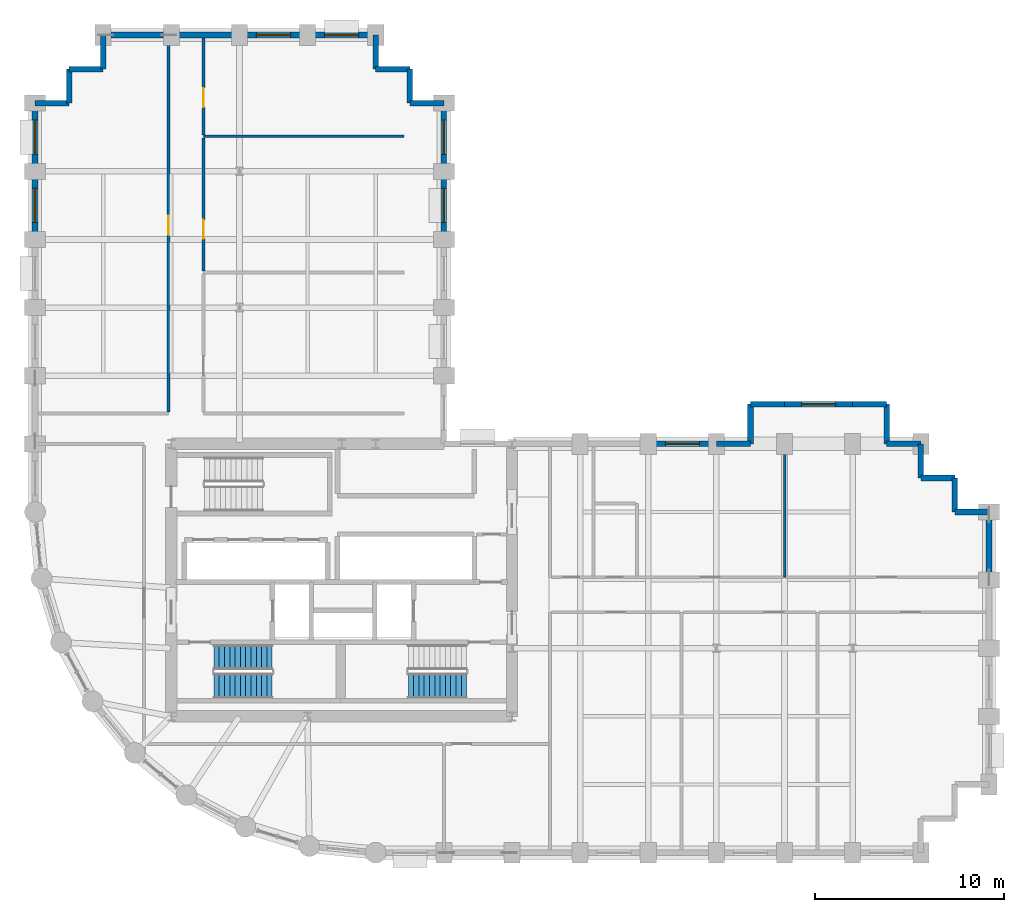
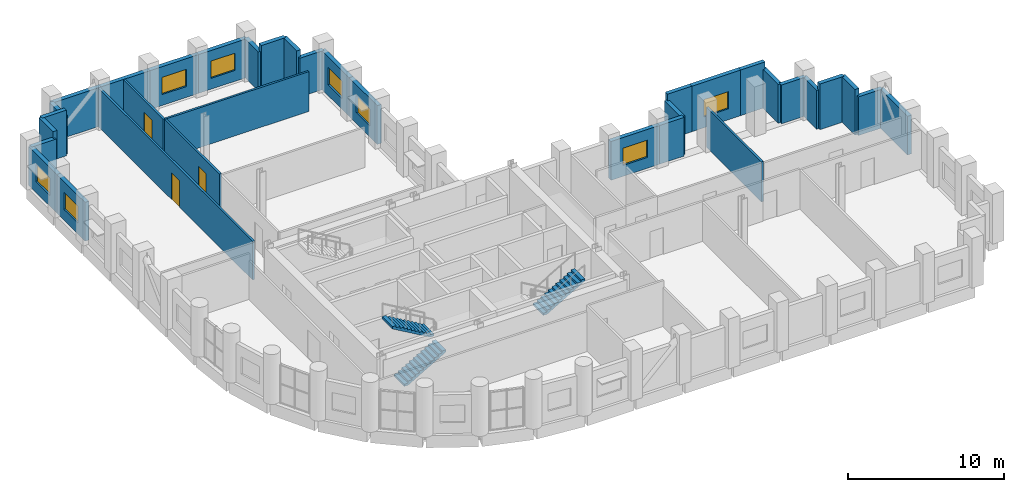
# One storey, part 10 of 13: 34 walls, 8 windows, 3 doors, 3 stair flights, 11 openings, 2 elements without a shape of their own.
"""IFC4 building model written with IfcOpenShell, lengths in metres."""

from ifc_helpers import new_model, si_unit, direction, frame, frame_2d, origin, place, context, subcontext, project, spatial, polyline, rectangle, outline, extrude, material, layer, layer_set, type_object, element, fill, aggregate, save


model = new_model("IFC4")

# Units and contexts
model_context = context("Model", 3, precision=1e-05, world=origin(), true_north=direction((0.0, 1.0)))
body_context = subcontext(model_context, "Body", "Model", "MODEL_VIEW")
ifc_project = project(units=[si_unit("LENGTHUNIT", "METRE"), si_unit("AREAUNIT", "SQUARE_METRE"), si_unit("VOLUMEUNIT", "CUBIC_METRE"), si_unit("PLANEANGLEUNIT", "RADIAN"), si_unit("MASSUNIT", "GRAM", prefix="KILO")], contexts=[model_context])

# Site, building, storey
site_placement = place(None, origin())
site = spatial("IfcSite", under=ifc_project, at=site_placement, CompositionType="ELEMENT")
building_placement = place(site_placement, origin())
building = spatial("IfcBuilding", under=site, at=building_placement, Name="Solnavia Interchange Tower", CompositionType="ELEMENT")
storey_placement = place(building_placement, frame((0.0, 0.0, 111.300048828125)))
storey = spatial("IfcBuildingStorey", under=building, at=storey_placement, Name="L27", CompositionType="ELEMENT", Elevation=111.300048828125)

# Walls
ifc_material_1 = material(Name="Concrete C40/50", Category="concrete")
ifc_layer_1 = layer(ifc_material_1, 0.300048828125)
ifc_layer_set_1 = layer_set([ifc_layer_1], Name="Concrete C40/50")
wall_type_1 = type_object("IfcWallType", Name="Wall-ExtSpandrel-300", PredefinedType="STANDARD", material=ifc_layer_set_1)
wall_1_placement = place(storey_placement, frame((57.60009765625, 21.60009765625, 0.0), z_axis=(0.0, 0.0, 1.0), x_axis=(0.0, -1.0, 0.0)))
element("IfcWall", 1, at=wall_1_placement, inside=storey, type_object=wall_type_1, Name="EXW-L27-16 Exterior precast spandrel wall", PredefinedType="STANDARD", context=body_context, shape_type="SweptSolid", body=[
    extrude(rectangle(XDim=3.60009765625, YDim=0.300048828125, at=frame_2d((1.800048828125, 0.0))), origin(), (0.0, 0.0, 1.0), 3.030029296875),
])
wall_2_placement = place(storey_placement, frame((55.800048828125, 21.60009765625, 0.0), z_axis=(0.0, 0.0, 1.0), x_axis=(1.0, 0.0, 0.0)))
element("IfcWall", 2, at=wall_2_placement, inside=storey, type_object=wall_type_1, Name="EXW-L27-17 Exterior precast spandrel wall", PredefinedType="STANDARD", context=body_context, shape_type="SweptSolid", body=[
    extrude(rectangle(XDim=1.800048828125, YDim=0.300048828125, at=frame_2d((0.89990234375, 0.0))), origin(), (0.0, 0.0, 1.0), 3.030029296875),
])
wall_3_placement = place(storey_placement, frame((55.800048828125, 23.39990234375, 0.0), z_axis=(0.0, 0.0, 1.0), x_axis=(0.0, -1.0, 0.0)))
element("IfcWall", 3, at=wall_3_placement, inside=storey, type_object=wall_type_1, Name="EXW-L27-18 Exterior precast spandrel wall", PredefinedType="STANDARD", context=body_context, shape_type="SweptSolid", body=[
    extrude(rectangle(XDim=1.7998046875, YDim=0.300048828125, at=frame_2d((0.89990234375, 0.0))), origin(), (0.0, 0.0, 1.0), 3.56494140625),
])
wall_4_placement = place(storey_placement, frame((54.0, 23.39990234375, 0.0), z_axis=(0.0, 0.0, 1.0), x_axis=(1.0, 0.0, 0.0)))
element("IfcWall", 4, at=wall_4_placement, inside=storey, type_object=wall_type_1, Name="EXW-L27-19 Exterior precast spandrel wall", PredefinedType="STANDARD", context=body_context, shape_type="SweptSolid", body=[
    extrude(rectangle(XDim=1.800048828125, YDim=0.300048828125, at=frame_2d((0.89990234375, 0.0))), origin(), (0.0, 0.0, 1.0), 3.56494140625),
])
for number, where, z_axis, x_axis, name in (
    (5, (54.0, 25.199951171875, 0.0), (0.0, 0.0, 1.0), (0.0, -1.0, 0.0), "EXW-L27-20 Exterior precast spandrel wall"),
    (6, (52.199951171875, 25.199951171875, 0.0), (0.0, 0.0, 1.0), (1.0, 0.0, 0.0), "EXW-L27-21 Exterior precast spandrel wall"),
):
    element("IfcWall", number, at=place(storey_placement, frame(where, z_axis=z_axis, x_axis=x_axis)), inside=storey, type_object=wall_type_1, Name=name, PredefinedType="STANDARD", context=body_context, shape_type="SweptSolid", body=[
        extrude(rectangle(XDim=1.800048828125, YDim=0.300048828125, at=frame_2d((0.89990234375, 0.0))), origin(), (0.0, 0.0, 1.0), 3.030029296875),
    ])
wall_5_placement = place(storey_placement, frame((52.199951171875, 27.300048828125, 0.0), z_axis=(0.0, 0.0, 1.0), x_axis=(0.0, -1.0, 0.0)))
element("IfcWall", 7, at=wall_5_placement, inside=storey, type_object=wall_type_1, Name="EXW-L27-22 Exterior precast spandrel wall", PredefinedType="STANDARD", context=body_context, shape_type="SweptSolid", body=[
    extrude(rectangle(XDim=2.10009765625, YDim=0.300048828125, at=frame_2d((1.050048828125, 0.0))), origin(), (0.0, 0.0, 1.0), 3.030029296875),
])
wall_6_placement = place(storey_placement, frame((50.39990234375, 27.300048828125, 0.0), z_axis=(0.0, 0.0, 1.0), x_axis=(1.0, 0.0, 0.0)))
element("IfcWall", 8, at=wall_6_placement, inside=storey, type_object=wall_type_1, Name="EXW-L27-23 Exterior precast spandrel wall", PredefinedType="STANDARD", context=body_context, shape_type="SweptSolid", body=[
    extrude(rectangle(XDim=1.800048828125, YDim=0.300048828125, at=frame_2d((0.89990234375, 0.0))), origin(), (0.0, 0.0, 1.0), 3.56494140625),
])

# Wall, opening, window
wall_7_placement = place(storey_placement, frame((46.800048828125, 27.300048828125, 0.0), z_axis=(0.0, 0.0, 1.0), x_axis=(1.0, 0.0, 0.0)))
wall_7 = element("IfcWall", 9, at=wall_7_placement, inside=storey, type_object=wall_type_1, Name="EXW-L27-24 Exterior precast spandrel wall", PredefinedType="STANDARD", context=body_context, shape_type="SweptSolid", body=[
    extrude(rectangle(XDim=3.599853515625, YDim=0.300048828125, at=frame_2d((1.7998046875, 0.0))), origin(), (0.0, 0.0, 1.0), 3.56494140625),
])
opening_1_placement = place(wall_7_placement, frame((0.89990234375, 0.0, 0.85009765625)))
opening_1 = element("IfcOpeningElement", 10, at=opening_1_placement, cuts=wall_7, Name="Opening WIN-02", PredefinedType="OPENING", context=body_context, shape_type="SweptSolid", body=[
    extrude(rectangle(XDim=1.800048828125, YDim=1.35009765625, at=frame_2d((0.89990234375, 0.675048828125))), frame((0.0, 0.16015625, 0.0), z_axis=(0.0, -1.0, 0.0), x_axis=(1.0, 0.0, 0.0)), (0.0, 0.0, 1.0), 0.320068359375),
])
ifc_material_2 = material(Name="Thermal-Break Aluminium & Low-E Glass", Category="aluminium")
window_type = type_object("IfcWindowType", Name="Window-Ribbon-1800x1350", PartitioningType="SINGLE_PANEL", PredefinedType="WINDOW", material=ifc_material_2)
window_1_placement = place(opening_1_placement, origin())
window_1 = element("IfcWindow", 11, at=window_1_placement, inside=storey, type_object=window_type, Name="WIN-L27-24 Facade ribbon window", OverallHeight=1.35009765625, OverallWidth=1.800048828125, PartitioningType="SINGLE_PANEL", PredefinedType="WINDOW", context=body_context, shape_type="SweptSolid", body=[
    extrude(rectangle(XDim=1.800048828125, YDim=1.35009765625, at=frame_2d((0.89990234375, 0.675048828125))), frame((0.0, 0.030029296875, 0.0), z_axis=(0.0, -1.0, 0.0), x_axis=(1.0, 0.0, 0.0)), (0.0, 0.0, 1.0), 0.06005859375),
])
fill(opening_1, window_1)

# Walls
wall_8_placement = place(storey_placement, frame((45.0, 27.300048828125, 0.0), z_axis=(0.0, 0.0, 1.0), x_axis=(1.0, 0.0, 0.0)))
element("IfcWall", 12, at=wall_8_placement, inside=storey, type_object=wall_type_1, Name="EXW-L27-25 Exterior precast spandrel wall", PredefinedType="STANDARD", context=body_context, shape_type="SweptSolid", body=[
    extrude(rectangle(XDim=1.800048828125, YDim=0.300048828125, at=frame_2d((0.89990234375, 0.0))), origin(), (0.0, 0.0, 1.0), 3.56494140625),
])
wall_9_placement = place(storey_placement, frame((45.0, 27.300048828125, 0.0), z_axis=(0.0, 0.0, 1.0), x_axis=(0.0, -1.0, 0.0)))
element("IfcWall", 13, at=wall_9_placement, inside=storey, type_object=wall_type_1, Name="EXW-L27-26 Exterior precast spandrel wall", PredefinedType="STANDARD", context=body_context, shape_type="SweptSolid", body=[
    extrude(rectangle(XDim=2.10009765625, YDim=0.300048828125, at=frame_2d((1.050048828125, 0.0))), origin(), (0.0, 0.0, 1.0), 3.030029296875),
])
wall_10_placement = place(storey_placement, frame((43.199951171875, 25.199951171875, 0.0), z_axis=(0.0, 0.0, 1.0), x_axis=(1.0, 0.0, 0.0)))
element("IfcWall", 14, at=wall_10_placement, inside=storey, type_object=wall_type_1, Name="EXW-L27-27 Exterior precast spandrel wall", PredefinedType="STANDARD", context=body_context, shape_type="SweptSolid", body=[
    extrude(rectangle(XDim=1.800048828125, YDim=0.300048828125, at=frame_2d((0.89990234375, 0.0))), origin(), (0.0, 0.0, 1.0), 3.030029296875),
])

# Wall, opening, window
wall_11_placement = place(storey_placement, frame((39.60009765625, 25.199951171875, 0.0), z_axis=(0.0, 0.0, 1.0), x_axis=(1.0, 0.0, 0.0)))
wall_11 = element("IfcWall", 15, at=wall_11_placement, inside=storey, type_object=wall_type_1, Name="EXW-L27-28 Exterior precast spandrel wall", PredefinedType="STANDARD", context=body_context, shape_type="SweptSolid", body=[
    extrude(rectangle(XDim=3.599853515625, YDim=0.300048828125, at=frame_2d((1.7998046875, 0.0))), origin(), (0.0, 0.0, 1.0), 3.030029296875),
])
opening_2_placement = place(wall_11_placement, frame((0.89990234375, 0.0, 0.85009765625)))
opening_2 = element("IfcOpeningElement", 16, at=opening_2_placement, cuts=wall_11, Name="Opening WIN-02", PredefinedType="OPENING", context=body_context, shape_type="SweptSolid", body=[
    extrude(rectangle(XDim=1.800048828125, YDim=1.35009765625, at=frame_2d((0.89990234375, 0.675048828125))), frame((0.0, 0.16015625, 0.0), z_axis=(0.0, -1.0, 0.0), x_axis=(1.0, 0.0, 0.0)), (0.0, 0.0, 1.0), 0.320068359375),
])
window_2_placement = place(opening_2_placement, origin())
window_2 = element("IfcWindow", 17, at=window_2_placement, inside=storey, type_object=window_type, Name="WIN-L27-28 Facade ribbon window", OverallHeight=1.35009765625, OverallWidth=1.800048828125, PartitioningType="SINGLE_PANEL", PredefinedType="WINDOW", context=body_context, shape_type="SweptSolid", body=[
    extrude(rectangle(XDim=1.800048828125, YDim=1.35009765625, at=frame_2d((0.89990234375, 0.675048828125))), frame((0.0, 0.030029296875, 0.0), z_axis=(0.0, -1.0, 0.0), x_axis=(1.0, 0.0, 0.0)), (0.0, 0.0, 1.0), 0.06005859375),
])
fill(opening_2, window_2)

wall_12_placement = place(storey_placement, frame((28.800048828125, 36.0, 0.0), z_axis=(0.0, 0.0, 1.0), x_axis=(0.0, 1.0, 0.0)))
wall_12 = element("IfcWall", 18, at=wall_12_placement, inside=storey, type_object=wall_type_1, Name="EXW-L27-35 Exterior precast spandrel wall", PredefinedType="STANDARD", context=body_context, shape_type="SweptSolid", body=[
    extrude(rectangle(XDim=3.60009765625, YDim=0.300048828125, at=frame_2d((1.800048828125, 0.0))), origin(), (0.0, 0.0, 1.0), 3.030029296875),
])
opening_3_placement = place(wall_12_placement, frame((0.89990234375, 0.0, 0.85009765625)))
opening_3 = element("IfcOpeningElement", 19, at=opening_3_placement, cuts=wall_12, Name="Opening WIN-02", PredefinedType="OPENING", context=body_context, shape_type="SweptSolid", body=[
    extrude(rectangle(XDim=1.800048828125, YDim=1.35009765625, at=frame_2d((0.89990234375, 0.675048828125))), frame((0.0, 0.16015625, 0.0), z_axis=(0.0, -1.0, 0.0), x_axis=(1.0, 0.0, 0.0)), (0.0, 0.0, 1.0), 0.320068359375),
])
window_3_placement = place(opening_3_placement, origin())
window_3 = element("IfcWindow", 20, at=window_3_placement, inside=storey, type_object=window_type, Name="WIN-L27-35 Facade ribbon window", OverallHeight=1.35009765625, OverallWidth=1.800048828125, PartitioningType="SINGLE_PANEL", PredefinedType="WINDOW", context=body_context, shape_type="SweptSolid", body=[
    extrude(rectangle(XDim=1.800048828125, YDim=1.35009765625, at=frame_2d((0.89990234375, 0.675048828125))), frame((0.0, 0.030029296875, 0.0), z_axis=(0.0, -1.0, 0.0), x_axis=(1.0, 0.0, 0.0)), (0.0, 0.0, 1.0), 0.06005859375),
])
fill(opening_3, window_3)

wall_13_placement = place(storey_placement, frame((28.800048828125, 39.60009765625, 0.0), z_axis=(0.0, 0.0, 1.0), x_axis=(0.0, 1.0, 0.0)))
wall_13 = element("IfcWall", 21, at=wall_13_placement, inside=storey, type_object=wall_type_1, Name="EXW-L27-36 Exterior precast spandrel wall", PredefinedType="STANDARD", context=body_context, shape_type="SweptSolid", body=[
    extrude(rectangle(XDim=3.599853515625, YDim=0.300048828125, at=frame_2d((1.7998046875, 0.0))), origin(), (0.0, 0.0, 1.0), 3.030029296875),
])
opening_4_placement = place(wall_13_placement, frame((0.89990234375, 0.0, 0.85009765625)))
opening_4 = element("IfcOpeningElement", 22, at=opening_4_placement, cuts=wall_13, Name="Opening WIN-02", PredefinedType="OPENING", context=body_context, shape_type="SweptSolid", body=[
    extrude(rectangle(XDim=1.800048828125, YDim=1.35009765625, at=frame_2d((0.89990234375, 0.675048828125))), frame((0.0, 0.16015625, 0.0), z_axis=(0.0, -1.0, 0.0), x_axis=(1.0, 0.0, 0.0)), (0.0, 0.0, 1.0), 0.320068359375),
])
window_4_placement = place(opening_4_placement, origin())
window_4 = element("IfcWindow", 23, at=window_4_placement, inside=storey, type_object=window_type, Name="WIN-L27-36 Facade ribbon window", OverallHeight=1.35009765625, OverallWidth=1.800048828125, PartitioningType="SINGLE_PANEL", PredefinedType="WINDOW", context=body_context, shape_type="SweptSolid", body=[
    extrude(rectangle(XDim=1.800048828125, YDim=1.35009765625, at=frame_2d((0.89990234375, 0.675048828125))), frame((0.0, 0.030029296875, 0.0), z_axis=(0.0, -1.0, 0.0), x_axis=(1.0, 0.0, 0.0)), (0.0, 0.0, 1.0), 0.06005859375),
])
fill(opening_4, window_4)

# Walls
wall_14_placement = place(storey_placement, frame((27.0, 43.199951171875, 0.0), z_axis=(0.0, 0.0, 1.0), x_axis=(1.0, 0.0, 0.0)))
element("IfcWall", 24, at=wall_14_placement, inside=storey, type_object=wall_type_1, Name="EXW-L27-37 Exterior precast spandrel wall", PredefinedType="STANDARD", context=body_context, shape_type="SweptSolid", body=[
    extrude(rectangle(XDim=1.800048828125, YDim=0.300048828125, at=frame_2d((0.89990234375, 0.0))), origin(), (0.0, 0.0, 1.0), 3.030029296875),
])
for number, where, z_axis, x_axis, name in (
    (25, (27.0, 43.199951171875, 0.0), (0.0, 0.0, 1.0), (0.0, 1.0, 0.0), "EXW-L27-38 Exterior precast spandrel wall"),
    (26, (25.199951171875, 45.0, 0.0), (0.0, 0.0, 1.0), (1.0, 0.0, 0.0), "EXW-L27-39 Exterior precast spandrel wall"),
):
    element("IfcWall", number, at=place(storey_placement, frame(where, z_axis=z_axis, x_axis=x_axis)), inside=storey, type_object=wall_type_1, Name=name, PredefinedType="STANDARD", context=body_context, shape_type="SweptSolid", body=[
        extrude(rectangle(XDim=1.800048828125, YDim=0.300048828125, at=frame_2d((0.89990234375, 0.0))), origin(), (0.0, 0.0, 1.0), 3.56494140625),
    ])
wall_15_placement = place(storey_placement, frame((25.199951171875, 45.0, 0.0), z_axis=(0.0, 0.0, 1.0), x_axis=(0.0, 1.0, 0.0)))
element("IfcWall", 27, at=wall_15_placement, inside=storey, type_object=wall_type_1, Name="EXW-L27-40 Exterior precast spandrel wall", PredefinedType="STANDARD", context=body_context, shape_type="SweptSolid", body=[
    extrude(rectangle(XDim=1.800048828125, YDim=0.300048828125, at=frame_2d((0.89990234375, 0.0))), origin(), (0.0, 0.0, 1.0), 3.030029296875),
])

# Wall, opening, window
wall_16_placement = place(storey_placement, frame((21.60009765625, 46.800048828125, 0.0), z_axis=(0.0, 0.0, 1.0), x_axis=(1.0, 0.0, 0.0)))
wall_16 = element("IfcWall", 28, at=wall_16_placement, inside=storey, type_object=wall_type_1, Name="EXW-L27-41 Exterior precast spandrel wall", PredefinedType="STANDARD", context=body_context, shape_type="SweptSolid", body=[
    extrude(rectangle(XDim=3.599853515625, YDim=0.300048828125, at=frame_2d((1.7998046875, 0.0))), origin(), (0.0, 0.0, 1.0), 3.030029296875),
])
opening_5_placement = place(wall_16_placement, frame((0.89990234375, 0.0, 0.85009765625)))
opening_5 = element("IfcOpeningElement", 29, at=opening_5_placement, cuts=wall_16, Name="Opening WIN-02", PredefinedType="OPENING", context=body_context, shape_type="SweptSolid", body=[
    extrude(rectangle(XDim=1.800048828125, YDim=1.35009765625, at=frame_2d((0.89990234375, 0.675048828125))), frame((0.0, 0.16015625, 0.0), z_axis=(0.0, -1.0, 0.0), x_axis=(1.0, 0.0, 0.0)), (0.0, 0.0, 1.0), 0.320068359375),
])
window_5_placement = place(opening_5_placement, origin())
window_5 = element("IfcWindow", 30, at=window_5_placement, inside=storey, type_object=window_type, Name="WIN-L27-41 Facade ribbon window", OverallHeight=1.35009765625, OverallWidth=1.800048828125, PartitioningType="SINGLE_PANEL", PredefinedType="WINDOW", context=body_context, shape_type="SweptSolid", body=[
    extrude(rectangle(XDim=1.800048828125, YDim=1.35009765625, at=frame_2d((0.89990234375, 0.675048828125))), frame((0.0, 0.030029296875, 0.0), z_axis=(0.0, -1.0, 0.0), x_axis=(1.0, 0.0, 0.0)), (0.0, 0.0, 1.0), 0.06005859375),
])
fill(opening_5, window_5)

wall_17_placement = place(storey_placement, frame((18.0, 46.800048828125, 0.0), z_axis=(0.0, 0.0, 1.0), x_axis=(1.0, 0.0, 0.0)))
wall_17 = element("IfcWall", 31, at=wall_17_placement, inside=storey, type_object=wall_type_1, Name="EXW-L27-42 Exterior precast spandrel wall", PredefinedType="STANDARD", context=body_context, shape_type="SweptSolid", body=[
    extrude(rectangle(XDim=3.60009765625, YDim=0.300048828125, at=frame_2d((1.800048828125, 0.0))), origin(), (0.0, 0.0, 1.0), 3.030029296875),
])
opening_6_placement = place(wall_17_placement, frame((0.89990234375, 0.0, 0.85009765625)))
opening_6 = element("IfcOpeningElement", 32, at=opening_6_placement, cuts=wall_17, Name="Opening WIN-02", PredefinedType="OPENING", context=body_context, shape_type="SweptSolid", body=[
    extrude(rectangle(XDim=1.800048828125, YDim=1.35009765625, at=frame_2d((0.89990234375, 0.675048828125))), frame((0.0, 0.16015625, 0.0), z_axis=(0.0, -1.0, 0.0), x_axis=(1.0, 0.0, 0.0)), (0.0, 0.0, 1.0), 0.320068359375),
])
window_6_placement = place(opening_6_placement, origin())
window_6 = element("IfcWindow", 33, at=window_6_placement, inside=storey, type_object=window_type, Name="WIN-L27-42 Facade ribbon window", OverallHeight=1.35009765625, OverallWidth=1.800048828125, PartitioningType="SINGLE_PANEL", PredefinedType="WINDOW", context=body_context, shape_type="SweptSolid", body=[
    extrude(rectangle(XDim=1.800048828125, YDim=1.35009765625, at=frame_2d((0.89990234375, 0.675048828125))), frame((0.0, 0.030029296875, 0.0), z_axis=(0.0, -1.0, 0.0), x_axis=(1.0, 0.0, 0.0)), (0.0, 0.0, 1.0), 0.06005859375),
])
fill(opening_6, window_6)

# Walls
wall_18_placement = place(storey_placement, frame((14.39990234375, 46.800048828125, 0.0), z_axis=(0.0, 0.0, 1.0), x_axis=(1.0, 0.0, 0.0)))
element("IfcWall", 34, at=wall_18_placement, inside=storey, type_object=wall_type_1, Name="EXW-L27-43 Exterior precast spandrel wall", PredefinedType="STANDARD", context=body_context, shape_type="SweptSolid", body=[
    extrude(rectangle(XDim=3.60009765625, YDim=0.300048828125, at=frame_2d((1.800048828125, 0.0))), origin(), (0.0, 0.0, 1.0), 3.030029296875),
])
wall_19_placement = place(storey_placement, frame((10.800048828125, 46.800048828125, 0.0), z_axis=(0.0, 0.0, 1.0), x_axis=(1.0, 0.0, 0.0)))
element("IfcWall", 35, at=wall_19_placement, inside=storey, type_object=wall_type_1, Name="EXW-L27-44 Exterior precast spandrel wall", PredefinedType="STANDARD", context=body_context, shape_type="SweptSolid", body=[
    extrude(rectangle(XDim=3.599853515625, YDim=0.300048828125, at=frame_2d((1.7998046875, 0.0))), origin(), (0.0, 0.0, 1.0), 3.030029296875),
])
wall_20_placement = place(storey_placement, frame((10.800048828125, 45.0, 0.0), z_axis=(0.0, 0.0, 1.0), x_axis=(0.0, 1.0, 0.0)))
element("IfcWall", 36, at=wall_20_placement, inside=storey, type_object=wall_type_1, Name="EXW-L27-45 Exterior precast spandrel wall", PredefinedType="STANDARD", context=body_context, shape_type="SweptSolid", body=[
    extrude(rectangle(XDim=1.800048828125, YDim=0.300048828125, at=frame_2d((0.89990234375, 0.0))), origin(), (0.0, 0.0, 1.0), 3.030029296875),
])
for number, where, z_axis, x_axis, name in (
    (37, (9.0, 45.0, 0.0), (0.0, 0.0, 1.0), (1.0, 0.0, 0.0), "EXW-L27-46 Exterior precast spandrel wall"),
    (38, (9.0, 43.199951171875, 0.0), (0.0, 0.0, 1.0), (0.0, 1.0, 0.0), "EXW-L27-47 Exterior precast spandrel wall"),
):
    element("IfcWall", number, at=place(storey_placement, frame(where, z_axis=z_axis, x_axis=x_axis)), inside=storey, type_object=wall_type_1, Name=name, PredefinedType="STANDARD", context=body_context, shape_type="SweptSolid", body=[
        extrude(rectangle(XDim=1.800048828125, YDim=0.300048828125, at=frame_2d((0.89990234375, 0.0))), origin(), (0.0, 0.0, 1.0), 3.56494140625),
    ])
wall_21_placement = place(storey_placement, frame((7.199951171875, 43.199951171875, 0.0), z_axis=(0.0, 0.0, 1.0), x_axis=(1.0, 0.0, 0.0)))
element("IfcWall", 39, at=wall_21_placement, inside=storey, type_object=wall_type_1, Name="EXW-L27-48 Exterior precast spandrel wall", PredefinedType="STANDARD", context=body_context, shape_type="SweptSolid", body=[
    extrude(rectangle(XDim=1.800048828125, YDim=0.300048828125, at=frame_2d((0.89990234375, 0.0))), origin(), (0.0, 0.0, 1.0), 3.030029296875),
])

# Wall, opening, window
wall_22_placement = place(storey_placement, frame((7.199951171875, 39.60009765625, 0.0), z_axis=(0.0, 0.0, 1.0), x_axis=(0.0, 1.0, 0.0)))
wall_22 = element("IfcWall", 40, at=wall_22_placement, inside=storey, type_object=wall_type_1, Name="EXW-L27-49 Exterior precast spandrel wall", PredefinedType="STANDARD", context=body_context, shape_type="SweptSolid", body=[
    extrude(rectangle(XDim=3.599853515625, YDim=0.300048828125, at=frame_2d((1.7998046875, 0.0))), origin(), (0.0, 0.0, 1.0), 3.030029296875),
])
opening_7_placement = place(wall_22_placement, frame((0.89990234375, 0.0, 0.85009765625)))
opening_7 = element("IfcOpeningElement", 41, at=opening_7_placement, cuts=wall_22, Name="Opening WIN-02", PredefinedType="OPENING", context=body_context, shape_type="SweptSolid", body=[
    extrude(rectangle(XDim=1.800048828125, YDim=1.35009765625, at=frame_2d((0.89990234375, 0.675048828125))), frame((0.0, 0.16015625, 0.0), z_axis=(0.0, -1.0, 0.0), x_axis=(1.0, 0.0, 0.0)), (0.0, 0.0, 1.0), 0.320068359375),
])
window_7_placement = place(opening_7_placement, origin())
window_7 = element("IfcWindow", 42, at=window_7_placement, inside=storey, type_object=window_type, Name="WIN-L27-49 Facade ribbon window", OverallHeight=1.35009765625, OverallWidth=1.800048828125, PartitioningType="SINGLE_PANEL", PredefinedType="WINDOW", context=body_context, shape_type="SweptSolid", body=[
    extrude(rectangle(XDim=1.800048828125, YDim=1.35009765625, at=frame_2d((0.89990234375, 0.675048828125))), frame((0.0, 0.030029296875, 0.0), z_axis=(0.0, -1.0, 0.0), x_axis=(1.0, 0.0, 0.0)), (0.0, 0.0, 1.0), 0.06005859375),
])
fill(opening_7, window_7)

wall_23_placement = place(storey_placement, frame((7.199951171875, 36.0, 0.0), z_axis=(0.0, 0.0, 1.0), x_axis=(0.0, 1.0, 0.0)))
wall_23 = element("IfcWall", 43, at=wall_23_placement, inside=storey, type_object=wall_type_1, Name="EXW-L27-50 Exterior precast spandrel wall", PredefinedType="STANDARD", context=body_context, shape_type="SweptSolid", body=[
    extrude(rectangle(XDim=3.60009765625, YDim=0.300048828125, at=frame_2d((1.800048828125, 0.0))), origin(), (0.0, 0.0, 1.0), 3.030029296875),
])
opening_8_placement = place(wall_23_placement, frame((0.89990234375, 0.0, 0.85009765625)))
opening_8 = element("IfcOpeningElement", 44, at=opening_8_placement, cuts=wall_23, Name="Opening WIN-02", PredefinedType="OPENING", context=body_context, shape_type="SweptSolid", body=[
    extrude(rectangle(XDim=1.800048828125, YDim=1.35009765625, at=frame_2d((0.89990234375, 0.675048828125))), frame((0.0, 0.16015625, 0.0), z_axis=(0.0, -1.0, 0.0), x_axis=(1.0, 0.0, 0.0)), (0.0, 0.0, 1.0), 0.320068359375),
])
window_8_placement = place(opening_8_placement, origin())
window_8 = element("IfcWindow", 45, at=window_8_placement, inside=storey, type_object=window_type, Name="WIN-L27-50 Facade ribbon window", OverallHeight=1.35009765625, OverallWidth=1.800048828125, PartitioningType="SINGLE_PANEL", PredefinedType="WINDOW", context=body_context, shape_type="SweptSolid", body=[
    extrude(rectangle(XDim=1.800048828125, YDim=1.35009765625, at=frame_2d((0.89990234375, 0.675048828125))), frame((0.0, 0.030029296875, 0.0), z_axis=(0.0, -1.0, 0.0), x_axis=(1.0, 0.0, 0.0)), (0.0, 0.0, 1.0), 0.06005859375),
])
fill(opening_8, window_8)

# Wall
ifc_material_3 = material(Name="Gypsum Plasterboard & Steel Stud", Category="steel")
ifc_layer_2 = layer(ifc_material_3, 0.14990234375)
ifc_layer_set_2 = layer_set([ifc_layer_2], Name="Gypsum Plasterboard & Steel Stud")
wall_type_2 = type_object("IfcWallType", Name="Wall-Partition-150", PredefinedType="PARTITIONING", material=ifc_layer_set_2)
wall_24_placement = place(storey_placement, frame((46.81005859375, 18.14990234375, 0.0), z_axis=(0.0, 0.0, 1.0), x_axis=(0.0, 1.0, 0.0)))
element("IfcWall", 46, at=wall_24_placement, inside=storey, type_object=wall_type_2, Name="PTW-L27-18 Interior partition wall", PredefinedType="PARTITIONING", context=body_context, shape_type="SweptSolid", body=[
    extrude(rectangle(XDim=7.050048828125, YDim=0.14990234375, at=frame_2d((3.52490234375, 0.0))), origin(), (0.0, 0.0, 1.0), 3.119873046875),
])

# Wall, opening, door
wall_25_placement = place(storey_placement, frame((14.25, 26.87890625, 0.0), z_axis=(0.0, 0.0, 1.0), x_axis=(0.0, 1.0, 0.0)))
wall_25 = element("IfcWall", 47, at=wall_25_placement, inside=storey, type_object=wall_type_2, Name="PTW-L27-22 Interior partition wall", PredefinedType="PARTITIONING", context=body_context, shape_type="SweptSolid", body=[
    extrude(rectangle(XDim=19.76708984375, YDim=0.14990234375, at=frame_2d((9.883544921875, 0.0))), origin(), (0.0, 0.0, 1.0), 3.030029296875),
])
opening_9_placement = place(wall_25_placement, frame((9.381103515625, 0.0, 0.0)))
opening_9 = element("IfcOpeningElement", 48, at=opening_9_placement, cuts=wall_25, Name="Opening DR-07", PredefinedType="OPENING", context=body_context, shape_type="SweptSolid", body=[
    extrude(rectangle(XDim=1.0, YDim=2.10009765625, at=frame_2d((0.5, 1.050048828125))), frame((0.0, 0.0849609375, 0.0), z_axis=(0.0, -1.0, 0.0), x_axis=(1.0, 0.0, 0.0)), (0.0, 0.0, 1.0), 0.169921875),
])
ifc_material_4 = material(Name="Timber & Acoustic Glazed Office Door", Category="wood")
door_type = type_object("IfcDoorType", Name="Door-Office-1000x2100", OperationType="SINGLE_SWING_RIGHT", PredefinedType="DOOR", material=ifc_material_4)
door_1_placement = place(opening_9_placement, origin())
door_1 = element("IfcDoor", 49, at=door_1_placement, inside=storey, type_object=door_type, Name="DR-L27-10 Interior room door", OperationType="SINGLE_SWING_RIGHT", OverallHeight=2.10009765625, OverallWidth=1.0, PredefinedType="DOOR", context=body_context, shape_type="SweptSolid", body=[
    extrude(rectangle(XDim=1.0, YDim=2.10009765625, at=frame_2d((0.5, 1.050048828125))), frame((0.0, 0.02490234375, 0.0), z_axis=(0.0, -1.0, 0.0), x_axis=(1.0, 0.0, 0.0)), (0.0, 0.0, 1.0), 0.050048828125),
])
fill(opening_9, door_1)

# Wall
wall_26_placement = place(storey_placement, frame((16.10009765625, 41.449951171875, 0.0), z_axis=(0.0, 0.0, 1.0), x_axis=(1.0, 0.0, 0.0)))
element("IfcWall", 50, at=wall_26_placement, inside=storey, type_object=wall_type_2, Name="PTW-L27-26 Interior partition wall", PredefinedType="PARTITIONING", context=body_context, shape_type="SweptSolid", body=[
    extrude(rectangle(XDim=10.599853515625, YDim=0.14990234375, at=frame_2d((5.2998046875, 0.0))), origin(), (0.0, 0.0, 1.0), 3.10986328125),
])

# Wall, opening, door
wall_27_placement = place(storey_placement, frame((16.10009765625, 34.3291015625, 0.0), z_axis=(0.0, 0.0, 1.0), x_axis=(0.0, 1.0, 0.0)))
wall_27 = element("IfcWall", 51, at=wall_27_placement, inside=storey, type_object=wall_type_2, Name="PTW-L27-27 Interior partition wall", PredefinedType="PARTITIONING", context=body_context, shape_type="SweptSolid", body=[
    extrude(rectangle(XDim=7.0419921875, YDim=0.14990234375, at=frame_2d((3.52099609375, 0.0))), origin(), (0.0, 0.0, 1.0), 3.119873046875),
])
opening_10_placement = place(wall_27_placement, frame((1.7109375, 0.0, 0.0)))
opening_10 = element("IfcOpeningElement", 52, at=opening_10_placement, cuts=wall_27, Name="Opening DR-07", PredefinedType="OPENING", context=body_context, shape_type="SweptSolid", body=[
    extrude(rectangle(XDim=1.0, YDim=2.10009765625, at=frame_2d((0.5, 1.050048828125))), frame((0.0, 0.0849609375, 0.0), z_axis=(0.0, -1.0, 0.0), x_axis=(1.0, 0.0, 0.0)), (0.0, 0.0, 1.0), 0.169921875),
])
door_2_placement = place(opening_10_placement, origin())
door_2 = element("IfcDoor", 53, at=door_2_placement, inside=storey, type_object=door_type, Name="DR-L27-12 Interior room door", OperationType="SINGLE_SWING_LEFT", OverallHeight=2.10009765625, OverallWidth=1.0, PredefinedType="DOOR", context=body_context, shape_type="SweptSolid", body=[
    extrude(rectangle(XDim=1.0, YDim=2.10009765625, at=frame_2d((0.5, 1.050048828125))), frame((0.0, 0.02490234375, 0.0), z_axis=(0.0, -1.0, 0.0), x_axis=(1.0, 0.0, 0.0)), (0.0, 0.0, 1.0), 0.050048828125),
])
fill(opening_10, door_2)

wall_28_placement = place(storey_placement, frame((16.10009765625, 41.529052734375, 0.0), z_axis=(0.0, 0.0, 1.0), x_axis=(0.0, 1.0, 0.0)))
wall_28 = element("IfcWall", 54, at=wall_28_placement, inside=storey, type_object=wall_type_2, Name="PTW-L27-28 Interior partition wall", PredefinedType="PARTITIONING", context=body_context, shape_type="SweptSolid", body=[
    extrude(rectangle(XDim=5.116943359375, YDim=0.14990234375, at=frame_2d((2.55859375, 0.0))), origin(), (0.0, 0.0, 1.0), 3.030029296875),
])
opening_11_placement = place(wall_28_placement, frame((1.465087890625, 0.0, 0.0)))
opening_11 = element("IfcOpeningElement", 55, at=opening_11_placement, cuts=wall_28, Name="Opening DR-07", PredefinedType="OPENING", context=body_context, shape_type="SweptSolid", body=[
    extrude(rectangle(XDim=1.0, YDim=2.10009765625, at=frame_2d((0.5, 1.050048828125))), frame((0.0, 0.0849609375, 0.0), z_axis=(0.0, -1.0, 0.0), x_axis=(1.0, 0.0, 0.0)), (0.0, 0.0, 1.0), 0.169921875),
])
door_3_placement = place(opening_11_placement, origin())
door_3 = element("IfcDoor", 56, at=door_3_placement, inside=storey, type_object=door_type, Name="DR-L27-13 Interior room door", OperationType="SINGLE_SWING_LEFT", OverallHeight=2.10009765625, OverallWidth=1.0, PredefinedType="DOOR", context=body_context, shape_type="SweptSolid", body=[
    extrude(rectangle(XDim=1.0, YDim=2.10009765625, at=frame_2d((0.5, 1.050048828125))), frame((0.0, 0.02490234375, 0.0), z_axis=(0.0, -1.0, 0.0), x_axis=(1.0, 0.0, 0.0)), (0.0, 0.0, 1.0), 0.050048828125),
])
fill(opening_11, door_3)

# Stair, stair flights
stair_type = type_object("IfcStairType", Name="Stair-Dogleg-RC", PredefinedType="HALF_TURN_STAIR", material=ifc_material_1)
stair_1_placement = place(storey_placement, origin())
stair_1 = element("IfcStair", 57, at=stair_1_placement, inside=storey, type_object=stair_type, Name="L27 Core exit stair 1", PredefinedType="HALF_TURN_STAIR")
stair_flight_type = type_object("IfcStairFlightType", Name="StairFlight-RC-150", PredefinedType="STRAIGHT", material=ifc_material_1)
stair_flight_1_placement = place(storey_placement, frame((16.64990234375, 12.409912109375, 0.0), z_axis=(0.0, 0.0, 1.0), x_axis=(1.0, 0.0, 0.0)))
stair_flight_1 = element("IfcStairFlight", 58, at=stair_flight_1_placement, type_object=stair_flight_type, Name="ST-1 flight 1", NumberOfRisers=12, NumberOfTreads=11, PredefinedType="STRAIGHT", RiserHeight=0.1625, TreadLength=0.28, context=body_context, shape_type="SweptSolid", body=[
    extrude(outline(polyline([(0.0, 0.0), (0.0, 0.16259765625), (0.280029296875, 0.16259765625), (0.280029296875, 0.324951171875), (0.56005859375, 0.324951171875), (0.56005859375, 0.487548828125), (0.840087890625, 0.487548828125), (0.840087890625, 0.64990234375), (1.1201171875, 0.64990234375), (1.1201171875, 0.8125), (1.39990234375, 0.8125), (1.39990234375, 0.97509765625), (1.679931640625, 0.97509765625), (1.679931640625, 1.137451171875), (1.9599609375, 1.137451171875), (1.9599609375, 1.300048828125), (2.239990234375, 1.300048828125), (2.239990234375, 1.46240234375), (2.52001953125, 1.46240234375), (2.52001953125, 1.625), (2.800048828125, 1.625), (2.800048828125, 1.78759765625), (3.080078125, 1.78759765625), (3.080078125, 1.949951171875), (3.080078125, 1.6142578125), (0.298583984375, 0.0), (0.0, 0.0)])), frame((0.0, 0.66015625, 0.0), z_axis=(0.0, -1.0, 0.0), x_axis=(1.0, 0.0, 0.0)), (0.0, 0.0, 1.0), 1.320068359375),
])
stair_flight_2_placement = place(storey_placement, frame((19.72998046875, 13.929931640625, 1.949951171875), z_axis=(0.0, 0.0, 1.0), x_axis=(-1.0, 0.0, 0.0)))
stair_flight_2 = element("IfcStairFlight", 59, at=stair_flight_2_placement, type_object=stair_flight_type, Name="ST-1 flight 2", NumberOfRisers=12, NumberOfTreads=11, PredefinedType="STRAIGHT", RiserHeight=0.1625, TreadLength=0.28, context=body_context, shape_type="SweptSolid", body=[
    extrude(outline(polyline([(0.0, 0.0), (0.0, 0.16259765625), (0.280029296875, 0.16259765625), (0.280029296875, 0.324951171875), (0.56005859375, 0.324951171875), (0.56005859375, 0.487548828125), (0.840087890625, 0.487548828125), (0.840087890625, 0.64990234375), (1.1201171875, 0.64990234375), (1.1201171875, 0.8125), (1.39990234375, 0.8125), (1.39990234375, 0.97509765625), (1.679931640625, 0.97509765625), (1.679931640625, 1.137451171875), (1.9599609375, 1.137451171875), (1.9599609375, 1.300048828125), (2.239990234375, 1.300048828125), (2.239990234375, 1.46240234375), (2.52001953125, 1.46240234375), (2.52001953125, 1.625), (2.800048828125, 1.625), (2.800048828125, 1.78759765625), (3.080078125, 1.78759765625), (3.080078125, 1.949951171875), (3.080078125, 1.6142578125), (0.298583984375, 0.0), (0.0, 0.0)])), frame((0.0, 0.66015625, 0.0), z_axis=(0.0, -1.0, 0.0), x_axis=(1.0, 0.0, 0.0)), (0.0, 0.0, 1.0), 1.320068359375),
])
aggregate(stair_1, [stair_flight_1, stair_flight_2])

# Stair, stair flight
stair_2_placement = place(storey_placement, origin())
stair_2 = element("IfcStair", 60, at=stair_2_placement, inside=storey, type_object=stair_type, Name="L27 Core exit stair 2", PredefinedType="HALF_TURN_STAIR")
stair_flight_3_placement = place(storey_placement, frame((26.919921875, 12.409912109375, 1.949951171875), z_axis=(0.0, 0.0, 1.0), x_axis=(1.0, 0.0, 0.0)))
stair_flight_3 = element("IfcStairFlight", 61, at=stair_flight_3_placement, type_object=stair_flight_type, Name="ST-2 flight 2", NumberOfRisers=12, NumberOfTreads=11, PredefinedType="STRAIGHT", RiserHeight=0.1625, TreadLength=0.28, context=body_context, shape_type="SweptSolid", body=[
    extrude(outline(polyline([(0.0, 0.0), (0.0, 0.16259765625), (0.280029296875, 0.16259765625), (0.280029296875, 0.324951171875), (0.56005859375, 0.324951171875), (0.56005859375, 0.487548828125), (0.840087890625, 0.487548828125), (0.840087890625, 0.64990234375), (1.1201171875, 0.64990234375), (1.1201171875, 0.8125), (1.39990234375, 0.8125), (1.39990234375, 0.97509765625), (1.679931640625, 0.97509765625), (1.679931640625, 1.137451171875), (1.9599609375, 1.137451171875), (1.9599609375, 1.300048828125), (2.239990234375, 1.300048828125), (2.239990234375, 1.46240234375), (2.52001953125, 1.46240234375), (2.52001953125, 1.625), (2.800048828125, 1.625), (2.800048828125, 1.78759765625), (3.080078125, 1.78759765625), (3.080078125, 1.949951171875), (3.080078125, 1.6142578125), (0.298583984375, 0.0), (0.0, 0.0)])), frame((0.0, 0.66015625, 0.0), z_axis=(0.0, -1.0, 0.0), x_axis=(1.0, 0.0, 0.0)), (0.0, 0.0, 1.0), 1.320068359375),
])
aggregate(stair_2, [stair_flight_3])

save(model, "model.ifc")
